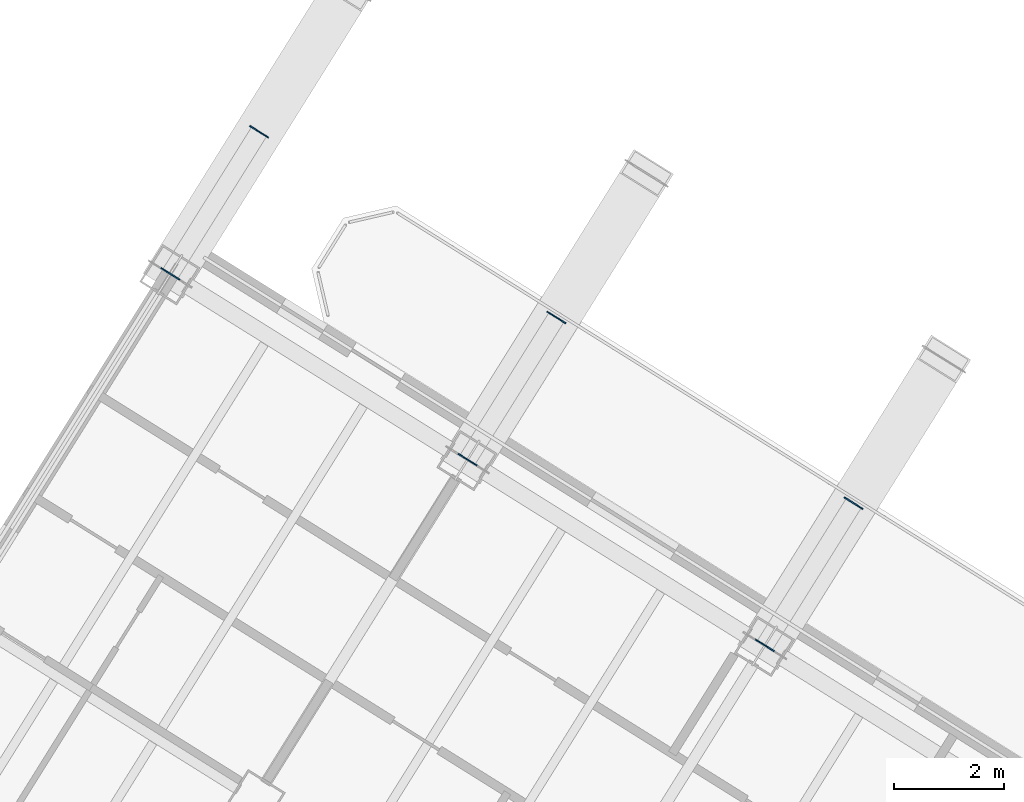
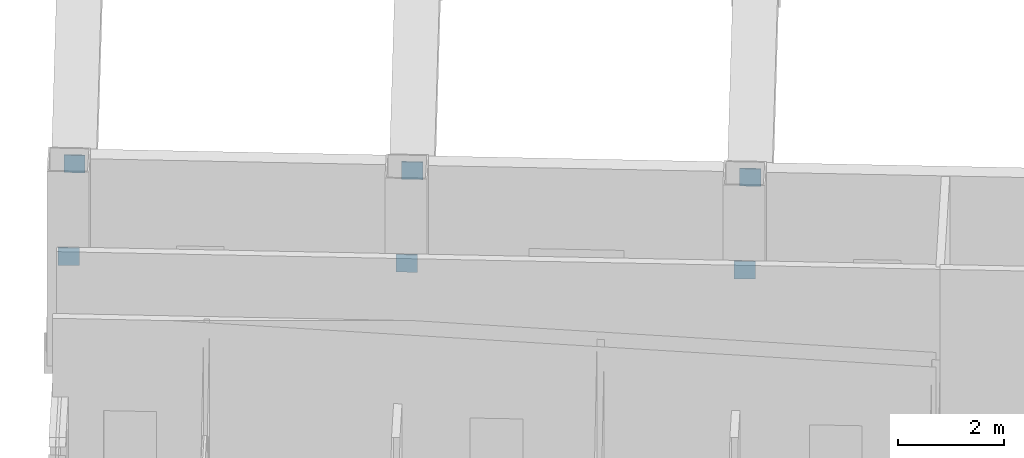
# One storey, part 20 of 34: 6 plates.
"""IFC4 building model written with IfcOpenShell, lengths in metres."""

import ifcopenshell
import ifcopenshell.guid

model = None  # the IFC model being written
_history = None  # IfcOwnerHistory: only IFC2X3 demands one
_inside = {}  # id of a spatial element -> (the spatial element, [elements in it])
_under = {}  # id of a project, library or spatial element -> (it, [spatial elements below it])
_declared = {}  # id of a project -> (the project, [libraries it declares])
_typed = {}  # id of a type object -> (the type object, [elements of that type])
_made_of = {}  # id of a material, layer set ... -> (it, [elements and type objects made of it])


def new_model(schema):
    """Start an empty IFC model of exactly this schema.

    Asked for "IFC4X3", IfcOpenShell would pick the latest addendum, in which some entities
    have other attributes; the version numbers below select the first issue.
    IFC2X3 requires an IfcOwnerHistory on every rooted entity: one is made here for all.
    """
    global model, _history
    if schema == "IFC4X3":
        model = ifcopenshell.file(schema_version=(4, 3, 0, 0))
    else:
        model = ifcopenshell.file(schema=schema)
    _inside.clear()
    _under.clear()
    _declared.clear()
    _typed.clear()
    _made_of.clear()
    _history = None
    if model.schema == "IFC2X3":
        org = make("IfcOrganization", Name="unknown")
        user = make(
            "IfcPersonAndOrganization",
            ThePerson=make("IfcPerson", FamilyName="unknown"),
            TheOrganization=org,
        )
        app = make(
            "IfcApplication",
            ApplicationDeveloper=org,
            Version="unknown",
            ApplicationFullName="unknown",
            ApplicationIdentifier="unknown",
        )
        _history = make(
            "IfcOwnerHistory",
            OwningUser=user,
            OwningApplication=app,
            ChangeAction="ADDED",
            CreationDate=0,
        )
    return model


def make(cls, **values):
    """One entity of the class cls with the attributes given. An attribute that is None is left unset."""
    return model.create_entity(
        cls, **{name: value for name, value in values.items() if value is not None}
    )


def rooted(cls, **values):
    """An entity with a GlobalId (a new one), such as an element, a storey or a relation."""
    return make(cls, GlobalId=ifcopenshell.guid.new(), OwnerHistory=_history, **values)


def si_unit(unit_type, name, prefix=None):
    """IfcSIUnit, for example si_unit("LENGTHUNIT", "METRE", prefix="MILLI")."""
    return make("IfcSIUnit", UnitType=unit_type, Prefix=prefix, Name=name)


def assignment(units):
    """IfcUnitAssignment: the units of a project."""
    return None if units is None else make("IfcUnitAssignment", Units=units)


def point(xyz):
    """IfcCartesianPoint."""
    return None if xyz is None else make("IfcCartesianPoint", Coordinates=xyz)


def direction(xyz):
    """IfcDirection."""
    return None if xyz is None else make("IfcDirection", DirectionRatios=xyz)


def frame(location, z_axis=None, x_axis=None):
    """IfcAxis2Placement3D, a coordinate frame: its origin and axes. An axis left out is left unset."""
    return make(
        "IfcAxis2Placement3D",
        Location=point(location),
        Axis=direction(z_axis),
        RefDirection=direction(x_axis),
    )


def frame_2d(location, x_axis=None):
    """IfcAxis2Placement2D, a coordinate frame in the plane: its origin and x axis."""
    return make(
        "IfcAxis2Placement2D", Location=point(location), RefDirection=direction(x_axis)
    )


def origin():
    """The frame at (0, 0, 0) with its axes left unset."""
    return frame((0.0, 0.0, 0.0))


def origin_2d():
    """The frame at (0, 0) in the plane with its x axis left unset."""
    return frame_2d((0.0, 0.0))


def place(relative_to, where):
    """IfcLocalPlacement: puts the frame where relative to a parent placement (None: the world)."""
    return make(
        "IfcLocalPlacement", PlacementRelTo=relative_to, RelativePlacement=where
    )


def context(
    kind, dimensions, precision=None, world=None, true_north=None, identifier=None
):
    """IfcGeometricRepresentationContext, for example the 3D "Model" context."""
    return make(
        "IfcGeometricRepresentationContext",
        ContextIdentifier=identifier,
        ContextType=kind,
        CoordinateSpaceDimension=dimensions,
        Precision=precision,
        WorldCoordinateSystem=world,
        TrueNorth=true_north,
    )


def subcontext(parent, identifier, kind, view, scale=None):
    """IfcGeometricRepresentationSubContext, for example "Body" below "Model"."""
    return make(
        "IfcGeometricRepresentationSubContext",
        ContextIdentifier=identifier,
        ContextType=kind,
        ParentContext=parent,
        TargetScale=scale,
        TargetView=view,
    )


def project(units=None, contexts=None):
    """IfcProject with its units and contexts."""
    return rooted(
        "IfcProject",
        Name="project",
        RepresentationContexts=contexts,
        UnitsInContext=assignment(units),
    )


def spatial(cls, under=None, at=None, **own):
    """A site, building, storey or space (cls), placed at a placement, below another one or the project."""
    s = rooted(cls, ObjectPlacement=at, **own)
    if under is not None:
        _under.setdefault(under.id(), (under, []))[1].append(s)
    return s


def profile(cls, at=None, kind="AREA", **sizes):
    """A parametric profile (cls). Its sizes go by their IFC names, for example OverallWidth=200.0."""
    return make(cls, ProfileType=kind, Position=at, **sizes)


def rectangle(**sizes):
    """IfcRectangleProfileDef."""
    return profile("IfcRectangleProfileDef", **sizes)


def extrude(swept, where, along, depth):
    """IfcExtrudedAreaSolid: the profile swept, set in the frame where, extruded along a direction by depth."""
    return make(
        "IfcExtrudedAreaSolid",
        SweptArea=swept,
        Position=where,
        ExtrudedDirection=direction(along),
        Depth=depth,
    )


def shape(context_of_items, identifier, shape_type, items):
    """IfcShapeRepresentation: the items that make up one representation, for example the "Body"."""
    return make(
        "IfcShapeRepresentation",
        ContextOfItems=context_of_items,
        RepresentationIdentifier=identifier,
        RepresentationType=shape_type,
        Items=items,
    )


def source(mapping_origin, context_of_items, identifier, shape_type, items):
    """IfcRepresentationMap: a shape defined once, which mapped items show again and again."""
    return make(
        "IfcRepresentationMap",
        MappingOrigin=mapping_origin,
        MappedRepresentation=shape(context_of_items, identifier, shape_type, items),
    )


def transform(
    local_origin,
    x_axis=None,
    y_axis=None,
    z_axis=None,
    scale=None,
    scale2=None,
    scale3=None,
    uniform=True,
):
    """IfcCartesianTransformationOperator3D, or its non-uniform kind. x_axis, y_axis, z_axis: its Axis1, 2, 3."""
    if uniform:
        return make(
            "IfcCartesianTransformationOperator3D",
            Axis1=direction(x_axis),
            Axis2=direction(y_axis),
            LocalOrigin=point(local_origin),
            Scale=scale,
            Axis3=direction(z_axis),
        )
    return make(
        "IfcCartesianTransformationOperator3DnonUniform",
        Axis1=direction(x_axis),
        Axis2=direction(y_axis),
        LocalOrigin=point(local_origin),
        Scale=scale,
        Axis3=direction(z_axis),
        Scale2=scale2,
        Scale3=scale3,
    )


def mapped(mapping_source, mapping_target):
    """IfcMappedItem: shows the shape of a source again, moved by a transform."""
    return make(
        "IfcMappedItem", MappingSource=mapping_source, MappingTarget=mapping_target
    )


def material(Name=None, Category=None):
    """IfcMaterial."""
    return make("IfcMaterial", Name=Name, Category=Category)


def layer(
    of_material, thickness, ventilated=None, Name=None, Category=None, Priority=None
):
    """IfcMaterialLayer: one layer of a wall or slab, of a material (None: an air gap)."""
    return make(
        "IfcMaterialLayer",
        Material=of_material,
        LayerThickness=thickness,
        IsVentilated=ventilated,
        Name=Name,
        Category=Category,
        Priority=Priority,
    )


def layer_set(layers, Name=None):
    """IfcMaterialLayerSet."""
    return make("IfcMaterialLayerSet", MaterialLayers=layers, LayerSetName=Name)


def made_of(thing, what):
    """Note that an element or type object is made of a material, layer set ...; save() writes the relation."""
    if what is not None:
        _made_of.setdefault(what.id(), (what, []))[1].append(thing)
    return thing


def type_object(cls, material=None, **own):
    """A type object (cls), such as IfcWallType, which elements share."""
    return made_of(rooted(cls, **own), material)


def element(
    cls,
    number,
    at=None,
    inside=None,
    cuts=None,
    type_object=None,
    material=None,
    context=None,
    identifier="Body",
    shape_type=None,
    held_by="IfcProductDefinitionShape",
    body=None,
    shapes=None,
    **own,
):
    """One element of the class cls, such as IfcWall. Its Tag is "e" and its number.

    at: its placement. inside: the storey or other place that contains it. cuts: it is an
    opening in that element (IfcRelVoidsElement). A single representation is given by context,
    identifier, shape_type and body (its items); several are given by shapes. held_by: the class
    of the entity that holds the representations. save() writes the other relations.
    """
    e = rooted(cls, Tag="e%d" % number, ObjectPlacement=at, **own)
    if body is not None:
        shapes = [shape(context, identifier, shape_type, body)]
    if shapes is not None:
        e.Representation = make(held_by, Representations=shapes)
    if inside is not None:
        _inside.setdefault(inside.id(), (inside, []))[1].append(e)
    if cuts is not None:
        rooted(
            "IfcRelVoidsElement", RelatingBuildingElement=cuts, RelatedOpeningElement=e
        )
    if type_object is not None:
        _typed.setdefault(type_object.id(), (type_object, []))[1].append(e)
    return made_of(e, material)


def aggregate(whole, parts):
    """IfcRelAggregates: a whole, such as a stair, and the parts it consists of."""
    return rooted("IfcRelAggregates", RelatingObject=whole, RelatedObjects=parts)


def save(model, path):
    """Write the relations noted so far, then the file.

    IfcRelAggregates (storeys below a building ...), IfcRelContainedInSpatialStructure (elements
    in a storey), IfcRelDefinesByType, IfcRelAssociatesMaterial and IfcRelDeclares: one each for
    every whole, place, type object, material and project.
    """
    for whole, parts in _under.values():
        aggregate(whole, parts)
    for where, things in _inside.values():
        rooted(
            "IfcRelContainedInSpatialStructure",
            RelatedElements=things,
            RelatingStructure=where,
        )
    for kind, things in _typed.values():
        rooted("IfcRelDefinesByType", RelatedObjects=things, RelatingType=kind)
    for what, things in _made_of.values():
        rooted("IfcRelAssociatesMaterial", RelatedObjects=things, RelatingMaterial=what)
    for by, libraries in _declared.values():
        rooted("IfcRelDeclares", RelatingContext=by, RelatedDefinitions=libraries)
    model.write(path)


model = new_model("IFC4")

# Units and contexts
model_context = context("Model", 3, precision=1e-05, world=origin(), true_north=direction((0.0, 1.0)))
body_context = subcontext(model_context, "Body", "Model", "MODEL_VIEW")
ifc_project = project(units=[si_unit("LENGTHUNIT", "METRE"), si_unit("AREAUNIT", "SQUARE_METRE"), si_unit("VOLUMEUNIT", "CUBIC_METRE"), si_unit("PLANEANGLEUNIT", "RADIAN"), si_unit("MASSUNIT", "GRAM", prefix="KILO")], contexts=[model_context])

# Site, building, storey
site_placement = place(None, origin())
site = spatial("IfcSite", under=ifc_project, at=site_placement, CompositionType="ELEMENT")
building_placement = place(site_placement, origin())
building = spatial("IfcBuilding", under=site, at=building_placement, Name="Tlacorven Tower", CompositionType="ELEMENT")
storey_placement = place(building_placement, frame((0.0, 0.0, 174.89990234375)))
storey = spatial("IfcBuildingStorey", under=building, at=storey_placement, Name="L44", CompositionType="ELEMENT", Elevation=174.89990234375)

# Plates
ifc_material = material(Name="Steel S460M", Category="steel")
ifc_layer = layer(ifc_material, 0.02392578125)
ifc_layer_set = layer_set([ifc_layer], Name="Steel S460M")
plate_type = type_object("IfcPlateType", Name="PL-CAP-END1", PredefinedType="USERDEFINED", material=ifc_layer_set)
shared_shape = source(origin(), body_context, "Body", "SweptSolid", [
    extrude(rectangle(XDim=0.02392578125, YDim=0.40380859375, at=origin_2d()), origin(), (0.0, 0.0, 1.0), 0.40380859375),
])
for number, where, z_axis, x_axis, name in (
    (1, (24.510986328125, 34.659912109375, 2.048095703125), (0.0, 0.0, 1.0), (0.52991883186, 0.848048366333, 0.0), "L44 hollow end cap plate SBR-L44-W4 1"),
    (2, (26.132568359375, 37.2548828125, 2.048095703125), (0.0, 0.0, 1.0), (0.52991883186, 0.848048366333, 0.0), "L44 hollow end cap plate SBR-L44-W4 2"),
    (3, (19.08349609375, 38.05126953125, 2.048095703125), (0.0, 0.0, 1.0), (0.529920917633, 0.848047062995, 0.0), "L44 hollow end cap plate SBR-L44-W5 1"),
    (4, (20.705078125, 40.646240234375, 2.048095703125), (0.0, 0.0, 1.0), (0.529920917633, 0.848047062995, 0.0), "L44 hollow end cap plate SBR-L44-W5 2"),
    (5, (13.656005859375, 41.44287109375, 2.048095703125), (0.0, 0.0, 1.0), (0.529919419557, 0.848047999099, 0.0), "L44 hollow end cap plate SBR-L44-W6 1"),
    (6, (15.277587890625, 44.037841796875, 2.048095703125), (0.0, 0.0, 1.0), (0.529919419557, 0.848047999099, 0.0), "L44 hollow end cap plate SBR-L44-W6 2"),
):
    element("IfcPlate", number, at=place(storey_placement, frame(where, z_axis=z_axis, x_axis=x_axis)), inside=storey, type_object=plate_type, Name=name, ObjectType="END PLATE", PredefinedType="USERDEFINED", context=body_context, shape_type="MappedRepresentation", body=[
        mapped(shared_shape, transform((0.0, 0.0, 0.0), scale=1.0)),
    ])

save(model, "model.ifc")
